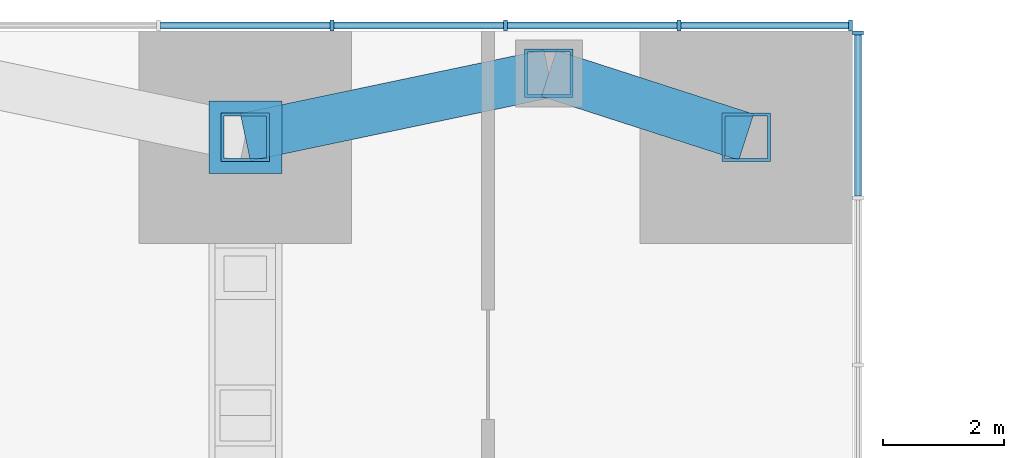
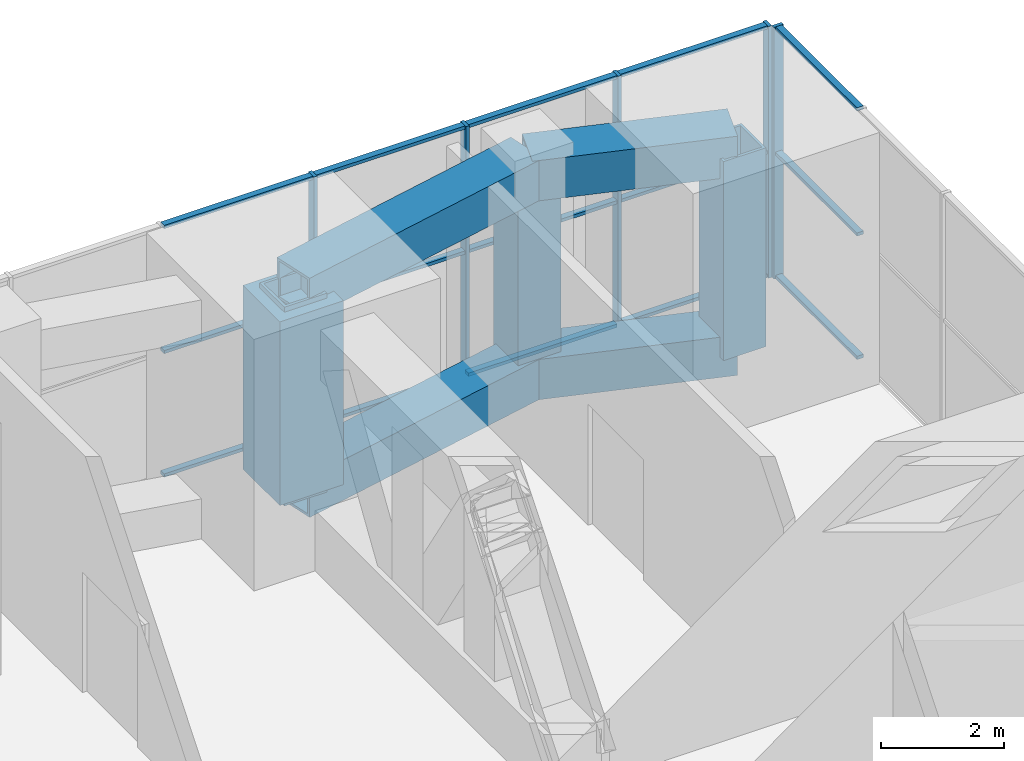
# One storey, part 7 of 12: 28 members, 2 elements without a shape of their own.
"""IFC4 building model written with IfcOpenShell, lengths in metres."""

from ifc_helpers import new_model, si_unit, direction, frame, origin, origin_2d, place, context, subcontext, project, spatial, rectangle, hollow_rectangle, extrude, material, material_profile, profile_set, type_object, element, aggregate, save


model = new_model("IFC4")

# Units and contexts
model_context = context("Model", 3, precision=1e-05, world=origin(), true_north=direction((0.0, 1.0)))
body_context = subcontext(model_context, "Body", "Model", "MODEL_VIEW")
ifc_project = project(units=[si_unit("LENGTHUNIT", "METRE"), si_unit("AREAUNIT", "SQUARE_METRE"), si_unit("VOLUMEUNIT", "CUBIC_METRE"), si_unit("PLANEANGLEUNIT", "RADIAN"), si_unit("MASSUNIT", "GRAM", prefix="KILO")], contexts=[model_context])

# Site, building, storey
site_placement = place(None, origin())
site = spatial("IfcSite", under=ifc_project, at=site_placement, CompositionType="ELEMENT")
building_placement = place(site_placement, origin())
building = spatial("IfcBuilding", under=site, at=building_placement, Name="Svetlomir Tower", CompositionType="ELEMENT")
storey_placement = place(building_placement, frame((0.0, 0.0, 160.5)))
storey = spatial("IfcBuildingStorey", under=building, at=storey_placement, Name="L38", CompositionType="ELEMENT", Elevation=160.5)

# Members
ifc_material_1 = material(Name="Steel S355", Category="steel")
ifc_material_profile_1 = material_profile(ifc_material_1, hollow_rectangle(XDim=0.800048828125, YDim=0.800048828125, WallThickness=0.050048828125, at=origin_2d()), Name="BOX 800x800x50")
ifc_profile_set_1 = profile_set([ifc_material_profile_1], Name="Steel S355")
member_type_1 = type_object("IfcMemberType", Name="BELT FRAME CHORD BOX 800x800x50", PredefinedType="CHORD", material=ifc_profile_set_1)
for number, where, z_axis, x_axis, name in (
    (1, (21.0, 40.25, 0.39990234375), (0.978651574329, 0.205526387753, 0.0), (-0.205526387753, 0.978651574329, 0.0), "Belt frame N L38 bottom chord 3"),
    (2, (21.0, 40.25, 4.35009765625), (0.978651574329, 0.205526387753, 0.0), (-0.205526387753, 0.978651574329, 0.0), "Belt frame N L38 top chord 3"),
):
    element("IfcMember", number, at=place(storey_placement, frame(where, z_axis=z_axis, x_axis=x_axis)), inside=storey, type_object=member_type_1, Name=name, PredefinedType="CHORD", context=body_context, shape_type="SweptSolid", body=[
        extrude(hollow_rectangle(XDim=0.800048828125, YDim=0.800048828125, WallThickness=0.050048828125, at=origin_2d()), origin(), (0.0, 0.0, 1.0), 5.109130859375),
    ])
for number, where, z_axis, x_axis, name in (
    (3, (26.0, 41.300048828125, 0.39990234375), (0.951566360503, -0.307443428225, 0.0), (0.307443428225, 0.951566360503, 0.0), "Belt frame N L38 bottom chord 4"),
    (4, (26.0, 41.300048828125, 4.35009765625), (0.951566360503, -0.307443428225, 0.0), (0.307443428225, 0.951566360503, 0.0), "Belt frame N L38 top chord 4"),
):
    element("IfcMember", number, at=place(storey_placement, frame(where, z_axis=z_axis, x_axis=x_axis)), inside=storey, type_object=member_type_1, Name=name, PredefinedType="CHORD", context=body_context, shape_type="SweptSolid", body=[
        extrude(hollow_rectangle(XDim=0.800048828125, YDim=0.800048828125, WallThickness=0.050048828125, at=origin_2d()), origin(), (0.0, 0.0, 1.0), 3.41552734375),
    ])
ifc_material_2 = material(Name="Steel S355", Category="steel")
ifc_material_profile_2 = material_profile(ifc_material_2, hollow_rectangle(XDim=0.800048828125, YDim=0.800048828125, WallThickness=0.050048828125, at=origin_2d()), Name="BOX 800x800x50")
ifc_profile_set_2 = profile_set([ifc_material_profile_2], Name="Steel S355")
member_type_2 = type_object("IfcMemberType", Name="BELT FRAME POST BOX 800x800x50", PredefinedType="POST", material=ifc_profile_set_2)
for number, where, z_axis, x_axis, name in (
    (5, (21.0, 40.25, 0.39990234375), (0.0, 0.0, 1.0), (1.0, 0.0, 0.0), "Belt frame N L38 post 3"),
    (6, (26.0, 41.300048828125, 0.39990234375), (0.0, 0.0, 1.0), (1.0, 0.0, 0.0), "Belt frame N L38 post 4"),
    (7, (29.25, 40.25, 0.39990234375), (0.0, 0.0, 1.0), (1.0, 0.0, 0.0), "Belt frame N L38 post 5"),
):
    element("IfcMember", number, at=place(storey_placement, frame(where, z_axis=z_axis, x_axis=x_axis)), inside=storey, type_object=member_type_2, Name=name, PredefinedType="POST", context=body_context, shape_type="SweptSolid", body=[
        extrude(hollow_rectangle(XDim=0.800048828125, YDim=0.800048828125, WallThickness=0.050048828125, at=origin_2d()), origin(), (0.0, 0.0, 1.0), 3.9501953125),
    ])

# Curtain wall, member
ifc_material_3 = material(Name="Bronze anodised aluminium curtain wall", Category="aluminium")
curtain_wall_type = type_object("IfcCurtainWallType", Name="CURTAIN WALL CW3 PLANT LOUVRE", PredefinedType="NOTDEFINED", material=ifc_material_3)
curtain_wall_1_placement = place(storey_placement, origin())
curtain_wall_1 = element("IfcCurtainWall", 8, at=curtain_wall_1_placement, inside=storey, type_object=curtain_wall_type, Name="Curtain wall CW3 L38", PredefinedType="NOTDEFINED")
ifc_material_4 = material(Name="Bronze anodised aluminium", Category="aluminium")
ifc_material_profile_3 = material_profile(ifc_material_4, rectangle(XDim=0.06494140625, YDim=0.179931640625, at=origin_2d()), Name="AL 65x180")
ifc_profile_set_3 = profile_set([ifc_material_profile_3], Name="Bronze anodised aluminium 6063-T6")
member_type_3 = type_object("IfcMemberType", Name="CW3 MULLION 65x180", PredefinedType="MULLION", material=ifc_profile_set_3)
member_1_placement = place(storey_placement, frame((31.090087890625, 41.967529296875, 0.0), z_axis=(0.0, 0.0, 1.0), x_axis=(0.0, 1.0, 0.0)))
member_1 = element("IfcMember", 9, at=member_1_placement, type_object=member_type_3, Name="CW3 mullion 5", PredefinedType="MULLION", context=body_context, shape_type="SweptSolid", body=[
    extrude(rectangle(XDim=0.06494140625, YDim=0.179931640625, at=origin_2d()), origin(), (0.0, 0.0, 1.0), 5.0),
])

# Curtain wall, members
curtain_wall_2_placement = place(storey_placement, origin())
curtain_wall_2 = element("IfcCurtainWall", 10, at=curtain_wall_2_placement, inside=storey, type_object=curtain_wall_type, Name="Curtain wall CW3 L38", PredefinedType="NOTDEFINED")
member_2_placement = place(storey_placement, frame((30.967529296875, 42.090087890625, 0.0), z_axis=(0.0, 0.0, 1.0), x_axis=(-1.0, 0.0, 0.0)))
member_2 = element("IfcMember", 11, at=member_2_placement, type_object=member_type_3, Name="CW3 mullion 1", PredefinedType="MULLION", context=body_context, shape_type="SweptSolid", body=[
    extrude(rectangle(XDim=0.06494140625, YDim=0.179931640625, at=origin_2d()), origin(), (0.0, 0.0, 1.0), 5.0),
])
member_3_placement = place(storey_placement, frame((28.142822265625, 42.090087890625, 0.0), z_axis=(0.0, 0.0, 1.0), x_axis=(-1.0, 0.0, 0.0)))
member_3 = element("IfcMember", 12, at=member_3_placement, type_object=member_type_3, Name="CW3 mullion 2", PredefinedType="MULLION", context=body_context, shape_type="SweptSolid", body=[
    extrude(rectangle(XDim=0.06494140625, YDim=0.179931640625, at=origin_2d()), origin(), (0.0, 0.0, 1.0), 5.0),
])
member_4_placement = place(storey_placement, frame((25.28564453125, 42.090087890625, 0.0), z_axis=(0.0, 0.0, 1.0), x_axis=(-1.0, 0.0, 0.0)))
member_4 = element("IfcMember", 13, at=member_4_placement, type_object=member_type_3, Name="CW3 mullion 3", PredefinedType="MULLION", context=body_context, shape_type="SweptSolid", body=[
    extrude(rectangle(XDim=0.06494140625, YDim=0.179931640625, at=origin_2d()), origin(), (0.0, 0.0, 1.0), 5.0),
])
member_5_placement = place(storey_placement, frame((22.428466796875, 42.090087890625, 0.0), z_axis=(0.0, 0.0, 1.0), x_axis=(-1.0, 0.0, 0.0)))
member_5 = element("IfcMember", 14, at=member_5_placement, type_object=member_type_3, Name="CW3 mullion 4", PredefinedType="MULLION", context=body_context, shape_type="SweptSolid", body=[
    extrude(rectangle(XDim=0.06494140625, YDim=0.179931640625, at=origin_2d()), origin(), (0.0, 0.0, 1.0), 5.0),
])

# Member
ifc_material_5 = material(Name="Bronze anodised aluminium", Category="aluminium")
ifc_material_profile_4 = material_profile(ifc_material_5, rectangle(XDim=0.1201171875, YDim=0.06494140625, at=origin_2d()), Name="AL 120x65")
ifc_profile_set_4 = profile_set([ifc_material_profile_4], Name="Bronze anodised aluminium 6063-T6")
member_type_4 = type_object("IfcMemberType", Name="CW3 TRANSOM 65x120", PredefinedType="USERDEFINED", material=ifc_profile_set_4)
member_6_placement = place(storey_placement, frame((31.090087890625, 39.282470703125, 0.032470703125), z_axis=(0.0, 1.0, 0.0), x_axis=(-1.0, 0.0, 0.0)))
member_6 = element("IfcMember", 15, at=member_6_placement, type_object=member_type_4, Name="CW3 transom 4.1", ObjectType="TRANSOM", PredefinedType="USERDEFINED", context=body_context, shape_type="SweptSolid", body=[
    extrude(rectangle(XDim=0.1201171875, YDim=0.06494140625, at=origin_2d()), origin(), (0.0, 0.0, 1.0), 2.652587890625),
])

member_7_placement = place(storey_placement, frame((31.090087890625, 39.282470703125, 2.483642578125), z_axis=(0.0, 1.0, 0.0), x_axis=(-1.0, 0.0, 0.0)))
member_7 = element("IfcMember", 16, at=member_7_placement, type_object=member_type_4, Name="CW3 transom 4.2", ObjectType="TRANSOM", PredefinedType="USERDEFINED", context=body_context, shape_type="SweptSolid", body=[
    extrude(rectangle(XDim=0.1201171875, YDim=0.06494140625, at=origin_2d()), origin(), (0.0, 0.0, 1.0), 2.652587890625),
])

member_8_placement = place(storey_placement, frame((31.090087890625, 39.282470703125, 4.967529296875), z_axis=(0.0, 1.0, 0.0), x_axis=(-1.0, 0.0, 0.0)))
member_8 = element("IfcMember", 17, at=member_8_placement, type_object=member_type_4, Name="CW3 transom 4.3", ObjectType="TRANSOM", PredefinedType="USERDEFINED", context=body_context, shape_type="SweptSolid", body=[
    extrude(rectangle(XDim=0.1201171875, YDim=0.06494140625, at=origin_2d()), origin(), (0.0, 0.0, 1.0), 2.652587890625),
])

aggregate(curtain_wall_1, [member_1, member_6, member_7, member_8])

member_9_placement = place(storey_placement, frame((30.93505859375, 42.090087890625, 0.032470703125), z_axis=(-1.0, 0.0, 0.0), x_axis=(0.0, -1.0, 0.0)))
member_9 = element("IfcMember", 18, at=member_9_placement, type_object=member_type_4, Name="CW3 transom 1.1", ObjectType="TRANSOM", PredefinedType="USERDEFINED", context=body_context, shape_type="SweptSolid", body=[
    extrude(rectangle(XDim=0.1201171875, YDim=0.06494140625, at=origin_2d()), origin(), (0.0, 0.0, 1.0), 2.759765625),
])

member_10_placement = place(storey_placement, frame((30.93505859375, 42.090087890625, 2.483642578125), z_axis=(-1.0, 0.0, 0.0), x_axis=(0.0, -1.0, 0.0)))
member_10 = element("IfcMember", 19, at=member_10_placement, type_object=member_type_4, Name="CW3 transom 1.2", ObjectType="TRANSOM", PredefinedType="USERDEFINED", context=body_context, shape_type="SweptSolid", body=[
    extrude(rectangle(XDim=0.1201171875, YDim=0.06494140625, at=origin_2d()), origin(), (0.0, 0.0, 1.0), 2.759765625),
])

member_11_placement = place(storey_placement, frame((30.93505859375, 42.090087890625, 4.967529296875), z_axis=(-1.0, 0.0, 0.0), x_axis=(0.0, -1.0, 0.0)))
member_11 = element("IfcMember", 20, at=member_11_placement, type_object=member_type_4, Name="CW3 transom 1.3", ObjectType="TRANSOM", PredefinedType="USERDEFINED", context=body_context, shape_type="SweptSolid", body=[
    extrude(rectangle(XDim=0.1201171875, YDim=0.06494140625, at=origin_2d()), origin(), (0.0, 0.0, 1.0), 2.759765625),
])

member_12_placement = place(storey_placement, frame((28.1103515625, 42.090087890625, 0.032470703125), z_axis=(-1.0, 0.0, 0.0), x_axis=(0.0, -1.0, 0.0)))
member_12 = element("IfcMember", 21, at=member_12_placement, type_object=member_type_4, Name="CW3 transom 2.1", ObjectType="TRANSOM", PredefinedType="USERDEFINED", context=body_context, shape_type="SweptSolid", body=[
    extrude(rectangle(XDim=0.1201171875, YDim=0.06494140625, at=origin_2d()), origin(), (0.0, 0.0, 1.0), 2.792236328125),
])

member_13_placement = place(storey_placement, frame((28.1103515625, 42.090087890625, 2.483642578125), z_axis=(-1.0, 0.0, 0.0), x_axis=(0.0, -1.0, 0.0)))
member_13 = element("IfcMember", 22, at=member_13_placement, type_object=member_type_4, Name="CW3 transom 2.2", ObjectType="TRANSOM", PredefinedType="USERDEFINED", context=body_context, shape_type="SweptSolid", body=[
    extrude(rectangle(XDim=0.1201171875, YDim=0.06494140625, at=origin_2d()), origin(), (0.0, 0.0, 1.0), 2.792236328125),
])

member_14_placement = place(storey_placement, frame((28.1103515625, 42.090087890625, 4.967529296875), z_axis=(-1.0, 0.0, 0.0), x_axis=(0.0, -1.0, 0.0)))
member_14 = element("IfcMember", 23, at=member_14_placement, type_object=member_type_4, Name="CW3 transom 2.3", ObjectType="TRANSOM", PredefinedType="USERDEFINED", context=body_context, shape_type="SweptSolid", body=[
    extrude(rectangle(XDim=0.1201171875, YDim=0.06494140625, at=origin_2d()), origin(), (0.0, 0.0, 1.0), 2.792236328125),
])

member_15_placement = place(storey_placement, frame((25.253173828125, 42.090087890625, 0.032470703125), z_axis=(-1.0, 0.0, 0.0), x_axis=(0.0, -1.0, 0.0)))
member_15 = element("IfcMember", 24, at=member_15_placement, type_object=member_type_4, Name="CW3 transom 3.1", ObjectType="TRANSOM", PredefinedType="USERDEFINED", context=body_context, shape_type="SweptSolid", body=[
    extrude(rectangle(XDim=0.1201171875, YDim=0.06494140625, at=origin_2d()), origin(), (0.0, 0.0, 1.0), 2.7919921875),
])

member_16_placement = place(storey_placement, frame((25.253173828125, 42.090087890625, 2.483642578125), z_axis=(-1.0, 0.0, 0.0), x_axis=(0.0, -1.0, 0.0)))
member_16 = element("IfcMember", 25, at=member_16_placement, type_object=member_type_4, Name="CW3 transom 3.2", ObjectType="TRANSOM", PredefinedType="USERDEFINED", context=body_context, shape_type="SweptSolid", body=[
    extrude(rectangle(XDim=0.1201171875, YDim=0.06494140625, at=origin_2d()), origin(), (0.0, 0.0, 1.0), 2.7919921875),
])

member_17_placement = place(storey_placement, frame((25.253173828125, 42.090087890625, 4.967529296875), z_axis=(-1.0, 0.0, 0.0), x_axis=(0.0, -1.0, 0.0)))
member_17 = element("IfcMember", 26, at=member_17_placement, type_object=member_type_4, Name="CW3 transom 3.3", ObjectType="TRANSOM", PredefinedType="USERDEFINED", context=body_context, shape_type="SweptSolid", body=[
    extrude(rectangle(XDim=0.1201171875, YDim=0.06494140625, at=origin_2d()), origin(), (0.0, 0.0, 1.0), 2.7919921875),
])

member_18_placement = place(storey_placement, frame((22.39599609375, 42.090087890625, 0.032470703125), z_axis=(-1.0, 0.0, 0.0), x_axis=(0.0, -1.0, 0.0)))
member_18 = element("IfcMember", 27, at=member_18_placement, type_object=member_type_4, Name="CW3 transom 4.1", ObjectType="TRANSOM", PredefinedType="USERDEFINED", context=body_context, shape_type="SweptSolid", body=[
    extrude(rectangle(XDim=0.1201171875, YDim=0.06494140625, at=origin_2d()), origin(), (0.0, 0.0, 1.0), 2.7919921875),
])

member_19_placement = place(storey_placement, frame((22.39599609375, 42.090087890625, 2.483642578125), z_axis=(-1.0, 0.0, 0.0), x_axis=(0.0, -1.0, 0.0)))
member_19 = element("IfcMember", 28, at=member_19_placement, type_object=member_type_4, Name="CW3 transom 4.2", ObjectType="TRANSOM", PredefinedType="USERDEFINED", context=body_context, shape_type="SweptSolid", body=[
    extrude(rectangle(XDim=0.1201171875, YDim=0.06494140625, at=origin_2d()), origin(), (0.0, 0.0, 1.0), 2.7919921875),
])

member_20_placement = place(storey_placement, frame((22.39599609375, 42.090087890625, 4.967529296875), z_axis=(-1.0, 0.0, 0.0), x_axis=(0.0, -1.0, 0.0)))
member_20 = element("IfcMember", 29, at=member_20_placement, type_object=member_type_4, Name="CW3 transom 4.3", ObjectType="TRANSOM", PredefinedType="USERDEFINED", context=body_context, shape_type="SweptSolid", body=[
    extrude(rectangle(XDim=0.1201171875, YDim=0.06494140625, at=origin_2d()), origin(), (0.0, 0.0, 1.0), 2.7919921875),
])

aggregate(curtain_wall_2, [member_2, member_3, member_4, member_5, member_9, member_10, member_11, member_12, member_13, member_14, member_15, member_16, member_17, member_18, member_19, member_20])

ifc_material_6 = material(Name="Steel S355", Category="steel")
ifc_material_profile_5 = material_profile(ifc_material_6, hollow_rectangle(XDim=1.199951171875, YDim=1.199951171875, WallThickness=0.199951171875, at=origin_2d()), Name="BOX 1200x1200x200")
ifc_profile_set_5 = profile_set([ifc_material_profile_5], Name="Steel S355")
member_type_5 = type_object("IfcMemberType", Name="OUTRIGGER END POST BOX 1200x1200x200", PredefinedType="POST", material=ifc_profile_set_5)
member_21_placement = place(storey_placement, frame((21.0, 40.25, 0.60009765625), z_axis=(0.0, 0.0, 1.0), x_axis=(1.0, 0.0, 0.0)))
element("IfcMember", 30, at=member_21_placement, inside=storey, type_object=member_type_5, Name="Outrigger N L38 end post", PredefinedType="POST", context=body_context, shape_type="SweptSolid", body=[
    extrude(hollow_rectangle(XDim=1.199951171875, YDim=1.199951171875, WallThickness=0.199951171875, at=origin_2d()), origin(), (0.0, 0.0, 1.0), 3.64990234375),
])

save(model, "model.ifc")
